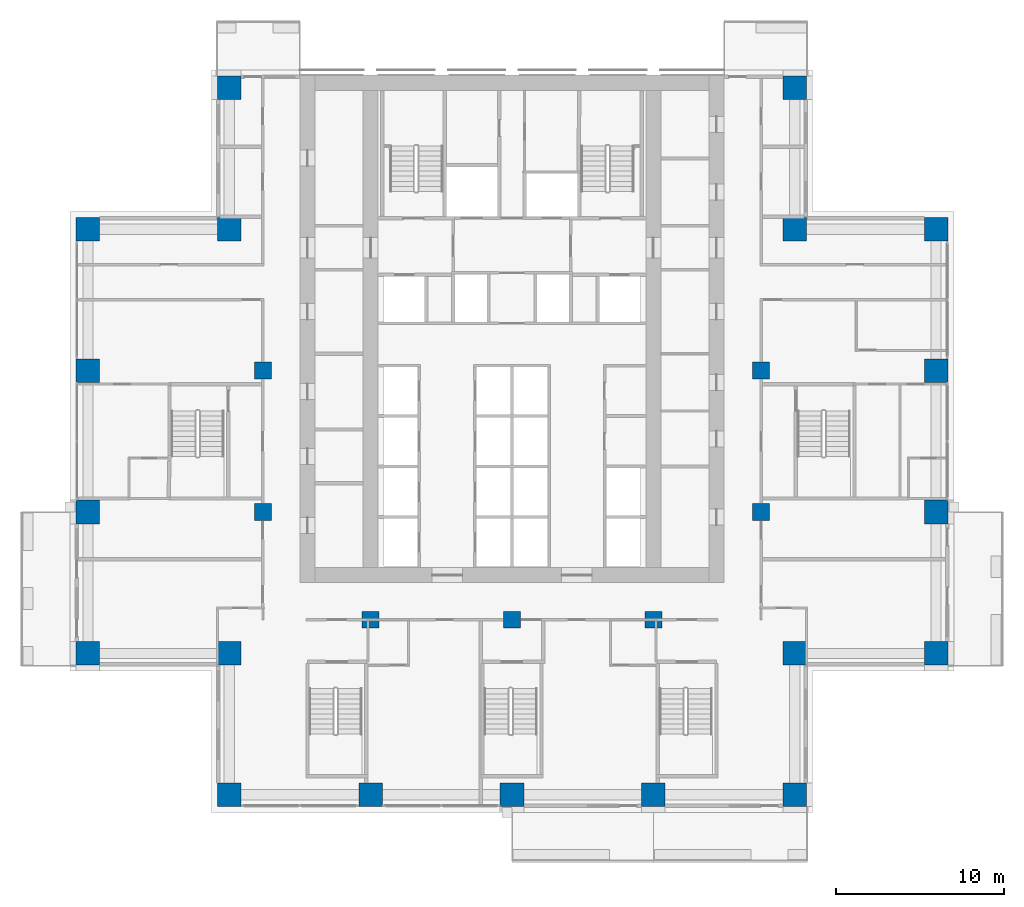
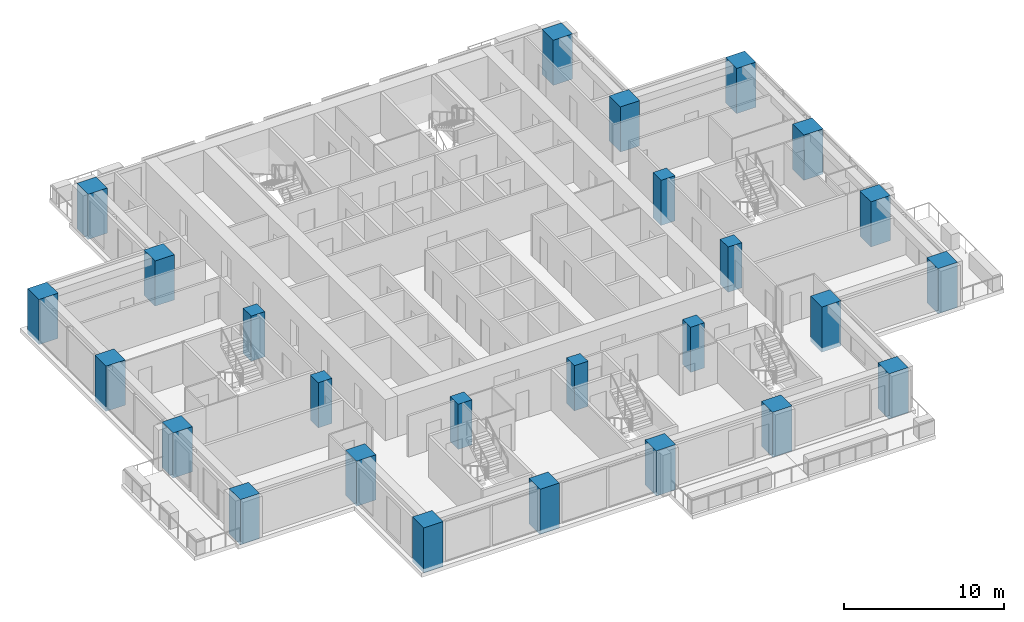
# One storey, part 1 of 17: 26 columns.
"""IFC4 building model written with IfcOpenShell, lengths in metres."""

from ifc_helpers import new_model, si_unit, direction, frame, origin, origin_2d, place, context, subcontext, project, spatial, rectangle, extrude, material, material_profile, profile_set, type_object, element, save


model = new_model("IFC4")

# Units and contexts
model_context = context("Model", 3, precision=1e-05, world=origin(), true_north=direction((0.0, 1.0)))
body_context = subcontext(model_context, "Body", "Model", "MODEL_VIEW")
ifc_project = project(units=[si_unit("LENGTHUNIT", "METRE"), si_unit("AREAUNIT", "SQUARE_METRE"), si_unit("VOLUMEUNIT", "CUBIC_METRE"), si_unit("PLANEANGLEUNIT", "RADIAN"), si_unit("MASSUNIT", "GRAM", prefix="KILO")], contexts=[model_context])

# Site, building, storey
site_placement = place(None, origin())
site = spatial("IfcSite", under=ifc_project, at=site_placement, CompositionType="ELEMENT")
building_placement = place(site_placement, origin())
building = spatial("IfcBuilding", under=site, at=building_placement, Name="Vermilion Ogive Tower", CompositionType="ELEMENT")
storey_placement = place(building_placement, frame((0.0, 0.0, 65.550048828125)))
storey = spatial("IfcBuildingStorey", under=building, at=storey_placement, Name="L15", CompositionType="ELEMENT", Elevation=65.550048828125)

# Columns
ifc_material_1 = material(Name="Concrete B80", Category="concrete")
ifc_material_profile_1 = material_profile(ifc_material_1, rectangle(XDim=1.39990234375, YDim=1.39990234375, at=origin_2d()), Name="1400 x 1400")
ifc_profile_set_1 = profile_set([ifc_material_profile_1], Name="Concrete B80")
column_type_1 = type_object("IfcColumnType", Name="Perimeter column 1400 x 1400 B80", PredefinedType="COLUMN", material=ifc_profile_set_1)
for number, where, z_axis, x_axis, name in (
    (1, (-16.800048828125, -21.0, -0.320068359375), (0.0, 0.0, 1.0), (1.0, 0.0, 0.0), "COL-L15-P-0168-210"),
    (2, (-8.39990234375, -21.0, -0.320068359375), (0.0, 0.0, 1.0), (1.0, 0.0, 0.0), "COL-L15-P-0084-210"),
    (3, (0.0, -21.0, -0.320068359375), (0.0, 0.0, 1.0), (1.0, 0.0, 0.0), "COL-L15-P+0000-210"),
    (4, (8.39990234375, -21.0, -0.320068359375), (0.0, 0.0, 1.0), (1.0, 0.0, 0.0), "COL-L15-P+0084-210"),
    (5, (16.800048828125, -21.0, -0.320068359375), (0.0, 0.0, 1.0), (1.0, 0.0, 0.0), "COL-L15-P+0168-210"),
    (6, (-25.199951171875, -12.60009765625, -0.320068359375), (0.0, 0.0, 1.0), (1.0, 0.0, 0.0), "COL-L15-P-0252-126"),
    (7, (-16.800048828125, -12.60009765625, -0.320068359375), (0.0, 0.0, 1.0), (1.0, 0.0, 0.0), "COL-L15-P-0168-126"),
    (8, (16.800048828125, -12.60009765625, -0.320068359375), (0.0, 0.0, 1.0), (1.0, 0.0, 0.0), "COL-L15-P+0168-126"),
    (9, (25.199951171875, -12.60009765625, -0.320068359375), (0.0, 0.0, 1.0), (1.0, 0.0, 0.0), "COL-L15-P+0252-126"),
    (10, (-25.199951171875, -4.199951171875, -0.320068359375), (0.0, 0.0, 1.0), (1.0, 0.0, 0.0), "COL-L15-P-0252-042"),
    (11, (25.199951171875, -4.199951171875, -0.320068359375), (0.0, 0.0, 1.0), (1.0, 0.0, 0.0), "COL-L15-P+0252-042"),
    (12, (-25.199951171875, 4.199951171875, -0.320068359375), (0.0, 0.0, 1.0), (1.0, 0.0, 0.0), "COL-L15-P-0252+042"),
    (13, (25.199951171875, 4.199951171875, -0.320068359375), (0.0, 0.0, 1.0), (1.0, 0.0, 0.0), "COL-L15-P+0252+042"),
    (14, (-25.199951171875, 12.60009765625, -0.320068359375), (0.0, 0.0, 1.0), (1.0, 0.0, 0.0), "COL-L15-P-0252+126"),
    (15, (-16.800048828125, 12.60009765625, -0.320068359375), (0.0, 0.0, 1.0), (1.0, 0.0, 0.0), "COL-L15-P-0168+126"),
    (16, (16.800048828125, 12.60009765625, -0.320068359375), (0.0, 0.0, 1.0), (1.0, 0.0, 0.0), "COL-L15-P+0168+126"),
    (17, (25.199951171875, 12.60009765625, -0.320068359375), (0.0, 0.0, 1.0), (1.0, 0.0, 0.0), "COL-L15-P+0252+126"),
    (18, (-16.800048828125, 21.0, -0.320068359375), (0.0, 0.0, 1.0), (1.0, 0.0, 0.0), "COL-L15-P-0168+210"),
    (19, (16.800048828125, 21.0, -0.320068359375), (0.0, 0.0, 1.0), (1.0, 0.0, 0.0), "COL-L15-P+0168+210"),
):
    element("IfcColumn", number, at=place(storey_placement, frame(where, z_axis=z_axis, x_axis=x_axis)), inside=storey, type_object=column_type_1, Name=name, PredefinedType="COLUMN", context=body_context, shape_type="SweptSolid", body=[
        extrude(rectangle(XDim=1.39990234375, YDim=1.39990234375, at=origin_2d()), origin(), (0.0, 0.0, 1.0), 3.449951171875),
    ])
ifc_material_2 = material(Name="Concrete B80", Category="concrete")
ifc_material_profile_2 = material_profile(ifc_material_2, rectangle(XDim=1.0, YDim=1.0, at=origin_2d()), Name="1000 x 1000")
ifc_profile_set_2 = profile_set([ifc_material_profile_2], Name="Concrete B80")
column_type_2 = type_object("IfcColumnType", Name="Ring column 1000 x 1000 B80", PredefinedType="COLUMN", material=ifc_profile_set_2)
for number, where, z_axis, x_axis, name in (
    (20, (-8.39990234375, -10.60009765625, -0.320068359375), (0.0, 0.0, 1.0), (1.0, 0.0, 0.0), "COL-L15-R-0084-106"),
    (21, (0.0, -10.60009765625, -0.320068359375), (0.0, 0.0, 1.0), (1.0, 0.0, 0.0), "COL-L15-R+0000-106"),
    (22, (8.39990234375, -10.60009765625, -0.320068359375), (0.0, 0.0, 1.0), (1.0, 0.0, 0.0), "COL-L15-R+0084-106"),
    (23, (-14.800048828125, -4.199951171875, -0.320068359375), (0.0, 0.0, 1.0), (1.0, 0.0, 0.0), "COL-L15-R-0148-042"),
    (24, (14.800048828125, -4.199951171875, -0.320068359375), (0.0, 0.0, 1.0), (1.0, 0.0, 0.0), "COL-L15-R+0148-042"),
    (25, (-14.800048828125, 4.199951171875, -0.320068359375), (0.0, 0.0, 1.0), (1.0, 0.0, 0.0), "COL-L15-R-0148+042"),
    (26, (14.800048828125, 4.199951171875, -0.320068359375), (0.0, 0.0, 1.0), (1.0, 0.0, 0.0), "COL-L15-R+0148+042"),
):
    element("IfcColumn", number, at=place(storey_placement, frame(where, z_axis=z_axis, x_axis=x_axis)), inside=storey, type_object=column_type_2, Name=name, PredefinedType="COLUMN", context=body_context, shape_type="SweptSolid", body=[
        extrude(rectangle(XDim=1.0, YDim=1.0, at=origin_2d()), origin(), (0.0, 0.0, 1.0), 3.449951171875),
    ])

save(model, "model.ifc")
